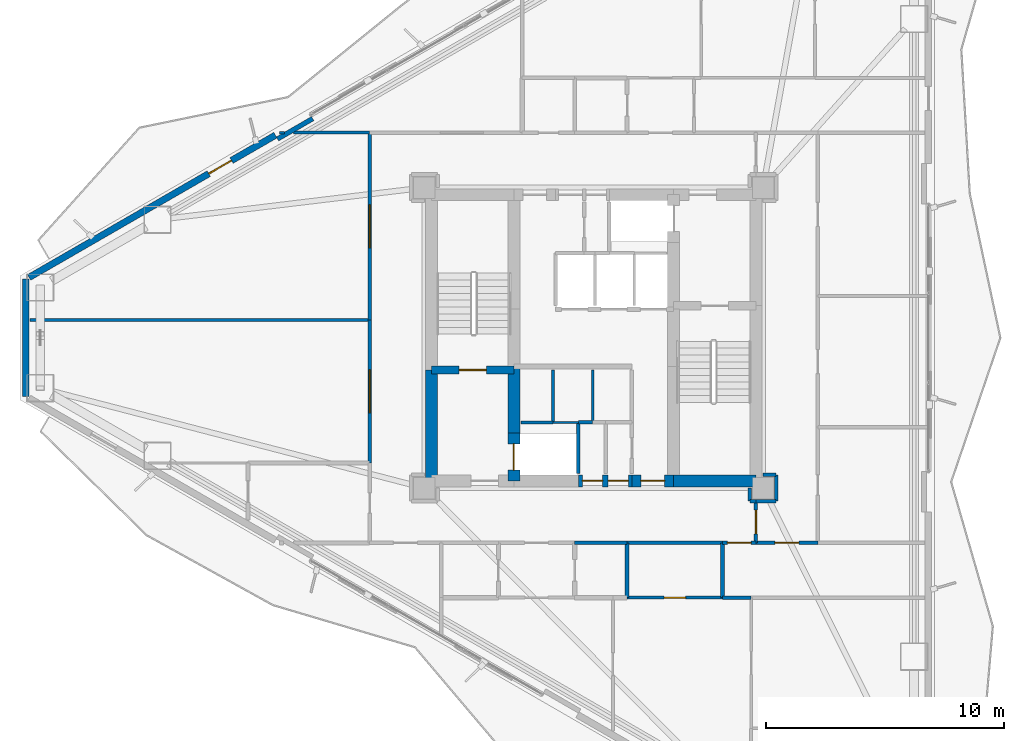
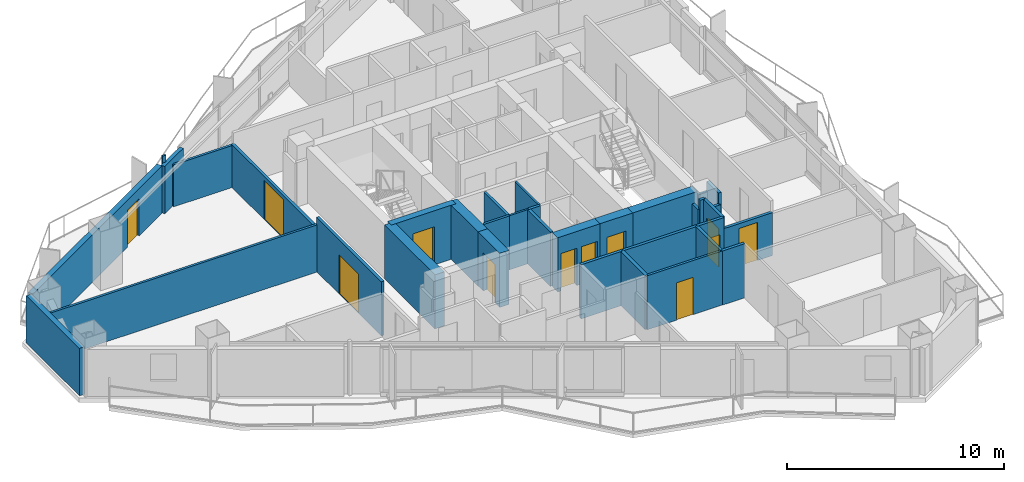
# One storey, part 16 of 22: 35 walls, 12 doors, 12 openings.
"""IFC4 building model written with IfcOpenShell, lengths in metres."""

import ifcopenshell
import ifcopenshell.guid

model = None  # the IFC model being written
_history = None  # IfcOwnerHistory: only IFC2X3 demands one
_inside = {}  # id of a spatial element -> (the spatial element, [elements in it])
_under = {}  # id of a project, library or spatial element -> (it, [spatial elements below it])
_declared = {}  # id of a project -> (the project, [libraries it declares])
_typed = {}  # id of a type object -> (the type object, [elements of that type])
_made_of = {}  # id of a material, layer set ... -> (it, [elements and type objects made of it])


def new_model(schema):
    """Start an empty IFC model of exactly this schema.

    Asked for "IFC4X3", IfcOpenShell would pick the latest addendum, in which some entities
    have other attributes; the version numbers below select the first issue.
    IFC2X3 requires an IfcOwnerHistory on every rooted entity: one is made here for all.
    """
    global model, _history
    if schema == "IFC4X3":
        model = ifcopenshell.file(schema_version=(4, 3, 0, 0))
    else:
        model = ifcopenshell.file(schema=schema)
    _inside.clear()
    _under.clear()
    _declared.clear()
    _typed.clear()
    _made_of.clear()
    _history = None
    if model.schema == "IFC2X3":
        org = make("IfcOrganization", Name="unknown")
        user = make(
            "IfcPersonAndOrganization",
            ThePerson=make("IfcPerson", FamilyName="unknown"),
            TheOrganization=org,
        )
        app = make(
            "IfcApplication",
            ApplicationDeveloper=org,
            Version="unknown",
            ApplicationFullName="unknown",
            ApplicationIdentifier="unknown",
        )
        _history = make(
            "IfcOwnerHistory",
            OwningUser=user,
            OwningApplication=app,
            ChangeAction="ADDED",
            CreationDate=0,
        )
    return model


def make(cls, **values):
    """One entity of the class cls with the attributes given. An attribute that is None is left unset."""
    return model.create_entity(
        cls, **{name: value for name, value in values.items() if value is not None}
    )


def rooted(cls, **values):
    """An entity with a GlobalId (a new one), such as an element, a storey or a relation."""
    return make(cls, GlobalId=ifcopenshell.guid.new(), OwnerHistory=_history, **values)


def si_unit(unit_type, name, prefix=None):
    """IfcSIUnit, for example si_unit("LENGTHUNIT", "METRE", prefix="MILLI")."""
    return make("IfcSIUnit", UnitType=unit_type, Prefix=prefix, Name=name)


def assignment(units):
    """IfcUnitAssignment: the units of a project."""
    return None if units is None else make("IfcUnitAssignment", Units=units)


def point(xyz):
    """IfcCartesianPoint."""
    return None if xyz is None else make("IfcCartesianPoint", Coordinates=xyz)


def direction(xyz):
    """IfcDirection."""
    return None if xyz is None else make("IfcDirection", DirectionRatios=xyz)


def frame(location, z_axis=None, x_axis=None):
    """IfcAxis2Placement3D, a coordinate frame: its origin and axes. An axis left out is left unset."""
    return make(
        "IfcAxis2Placement3D",
        Location=point(location),
        Axis=direction(z_axis),
        RefDirection=direction(x_axis),
    )


def frame_2d(location, x_axis=None):
    """IfcAxis2Placement2D, a coordinate frame in the plane: its origin and x axis."""
    return make(
        "IfcAxis2Placement2D", Location=point(location), RefDirection=direction(x_axis)
    )


def origin():
    """The frame at (0, 0, 0) with its axes left unset."""
    return frame((0.0, 0.0, 0.0))


def place(relative_to, where):
    """IfcLocalPlacement: puts the frame where relative to a parent placement (None: the world)."""
    return make(
        "IfcLocalPlacement", PlacementRelTo=relative_to, RelativePlacement=where
    )


def context(
    kind, dimensions, precision=None, world=None, true_north=None, identifier=None
):
    """IfcGeometricRepresentationContext, for example the 3D "Model" context."""
    return make(
        "IfcGeometricRepresentationContext",
        ContextIdentifier=identifier,
        ContextType=kind,
        CoordinateSpaceDimension=dimensions,
        Precision=precision,
        WorldCoordinateSystem=world,
        TrueNorth=true_north,
    )


def subcontext(parent, identifier, kind, view, scale=None):
    """IfcGeometricRepresentationSubContext, for example "Body" below "Model"."""
    return make(
        "IfcGeometricRepresentationSubContext",
        ContextIdentifier=identifier,
        ContextType=kind,
        ParentContext=parent,
        TargetScale=scale,
        TargetView=view,
    )


def project(units=None, contexts=None):
    """IfcProject with its units and contexts."""
    return rooted(
        "IfcProject",
        Name="project",
        RepresentationContexts=contexts,
        UnitsInContext=assignment(units),
    )


def spatial(cls, under=None, at=None, **own):
    """A site, building, storey or space (cls), placed at a placement, below another one or the project."""
    s = rooted(cls, ObjectPlacement=at, **own)
    if under is not None:
        _under.setdefault(under.id(), (under, []))[1].append(s)
    return s


def profile(cls, at=None, kind="AREA", **sizes):
    """A parametric profile (cls). Its sizes go by their IFC names, for example OverallWidth=200.0."""
    return make(cls, ProfileType=kind, Position=at, **sizes)


def rectangle(**sizes):
    """IfcRectangleProfileDef."""
    return profile("IfcRectangleProfileDef", **sizes)


def extrude(swept, where, along, depth):
    """IfcExtrudedAreaSolid: the profile swept, set in the frame where, extruded along a direction by depth."""
    return make(
        "IfcExtrudedAreaSolid",
        SweptArea=swept,
        Position=where,
        ExtrudedDirection=direction(along),
        Depth=depth,
    )


def shape(context_of_items, identifier, shape_type, items):
    """IfcShapeRepresentation: the items that make up one representation, for example the "Body"."""
    return make(
        "IfcShapeRepresentation",
        ContextOfItems=context_of_items,
        RepresentationIdentifier=identifier,
        RepresentationType=shape_type,
        Items=items,
    )


def material(Name=None, Category=None):
    """IfcMaterial."""
    return make("IfcMaterial", Name=Name, Category=Category)


def layer(
    of_material, thickness, ventilated=None, Name=None, Category=None, Priority=None
):
    """IfcMaterialLayer: one layer of a wall or slab, of a material (None: an air gap)."""
    return make(
        "IfcMaterialLayer",
        Material=of_material,
        LayerThickness=thickness,
        IsVentilated=ventilated,
        Name=Name,
        Category=Category,
        Priority=Priority,
    )


def layer_set(layers, Name=None):
    """IfcMaterialLayerSet."""
    return make("IfcMaterialLayerSet", MaterialLayers=layers, LayerSetName=Name)


def made_of(thing, what):
    """Note that an element or type object is made of a material, layer set ...; save() writes the relation."""
    if what is not None:
        _made_of.setdefault(what.id(), (what, []))[1].append(thing)
    return thing


def type_object(cls, material=None, **own):
    """A type object (cls), such as IfcWallType, which elements share."""
    return made_of(rooted(cls, **own), material)


def element(
    cls,
    number,
    at=None,
    inside=None,
    cuts=None,
    type_object=None,
    material=None,
    context=None,
    identifier="Body",
    shape_type=None,
    held_by="IfcProductDefinitionShape",
    body=None,
    shapes=None,
    **own,
):
    """One element of the class cls, such as IfcWall. Its Tag is "e" and its number.

    at: its placement. inside: the storey or other place that contains it. cuts: it is an
    opening in that element (IfcRelVoidsElement). A single representation is given by context,
    identifier, shape_type and body (its items); several are given by shapes. held_by: the class
    of the entity that holds the representations. save() writes the other relations.
    """
    e = rooted(cls, Tag="e%d" % number, ObjectPlacement=at, **own)
    if body is not None:
        shapes = [shape(context, identifier, shape_type, body)]
    if shapes is not None:
        e.Representation = make(held_by, Representations=shapes)
    if inside is not None:
        _inside.setdefault(inside.id(), (inside, []))[1].append(e)
    if cuts is not None:
        rooted(
            "IfcRelVoidsElement", RelatingBuildingElement=cuts, RelatedOpeningElement=e
        )
    if type_object is not None:
        _typed.setdefault(type_object.id(), (type_object, []))[1].append(e)
    return made_of(e, material)


def fill(opening, filler):
    """IfcRelFillsElement: the door or window that sits in an opening."""
    return rooted(
        "IfcRelFillsElement",
        RelatingOpeningElement=opening,
        RelatedBuildingElement=filler,
    )


def aggregate(whole, parts):
    """IfcRelAggregates: a whole, such as a stair, and the parts it consists of."""
    return rooted("IfcRelAggregates", RelatingObject=whole, RelatedObjects=parts)


def save(model, path):
    """Write the relations noted so far, then the file.

    IfcRelAggregates (storeys below a building ...), IfcRelContainedInSpatialStructure (elements
    in a storey), IfcRelDefinesByType, IfcRelAssociatesMaterial and IfcRelDeclares: one each for
    every whole, place, type object, material and project.
    """
    for whole, parts in _under.values():
        aggregate(whole, parts)
    for where, things in _inside.values():
        rooted(
            "IfcRelContainedInSpatialStructure",
            RelatedElements=things,
            RelatingStructure=where,
        )
    for kind, things in _typed.values():
        rooted("IfcRelDefinesByType", RelatedObjects=things, RelatingType=kind)
    for what, things in _made_of.values():
        rooted("IfcRelAssociatesMaterial", RelatedObjects=things, RelatingMaterial=what)
    for by, libraries in _declared.values():
        rooted("IfcRelDeclares", RelatingContext=by, RelatedDefinitions=libraries)
    model.write(path)


model = new_model("IFC4")

# Units and contexts
model_context = context("Model", 3, precision=1e-05, world=origin(), true_north=direction((0.0, 1.0)))
body_context = subcontext(model_context, "Body", "Model", "MODEL_VIEW")
ifc_project = project(units=[si_unit("LENGTHUNIT", "METRE"), si_unit("AREAUNIT", "SQUARE_METRE"), si_unit("VOLUMEUNIT", "CUBIC_METRE"), si_unit("PLANEANGLEUNIT", "RADIAN"), si_unit("MASSUNIT", "GRAM", prefix="KILO")], contexts=[model_context])

# Site, building, storey
site_placement = place(None, origin())
site = spatial("IfcSite", under=ifc_project, at=site_placement, CompositionType="ELEMENT")
building_placement = place(site_placement, origin())
building = spatial("IfcBuilding", under=site, at=building_placement, Name="Mersakhor Tower and Convention Hall", CompositionType="ELEMENT")
storey_placement = place(building_placement, frame((0.0, 0.0, 86.699951171875)))
storey = spatial("IfcBuildingStorey", under=building, at=storey_placement, Name="L23", CompositionType="ELEMENT", Elevation=86.699951171875)

# Wall
ifc_material_1 = material(Name="Precast concrete C45/55", Category="concrete")
ifc_layer_1 = layer(ifc_material_1, 0.27490234375)
ifc_layer_set_1 = layer_set([ifc_layer_1], Name="Precast concrete C45/55")
wall_type_1 = type_object("IfcWallType", Name="WL-EXT-275", PredefinedType="SOLIDWALL", material=ifc_layer_set_1)
wall_1_placement = place(storey_placement, frame((5.186767578125, 24.292724609375, 0.0), z_axis=(0.0, 0.0, 1.0), x_axis=(0.0, 1.0, 0.0)))
element("IfcWall", 1, at=wall_1_placement, inside=storey, type_object=wall_type_1, Name="L23 Chamfer Braced Spandrel Wall C3", PredefinedType="SOLIDWALL", context=body_context, shape_type="SweptSolid", body=[
    extrude(rectangle(XDim=4.91455078125, YDim=0.27490234375, at=frame_2d((2.457275390625, 0.0))), origin(), (0.0, 0.0, 1.0), 2.670166015625),
])

# Wall, opening, door
wall_2_placement = place(storey_placement, frame((5.316650390625, 29.2822265625, 0.0), z_axis=(0.0, 0.0, 1.0), x_axis=(0.866023023012, 0.500004123596, 0.0)))
wall_2 = element("IfcWall", 2, at=wall_2_placement, inside=storey, type_object=wall_type_1, Name="L23 Exterior Facade Wall F1-B1", PredefinedType="SOLIDWALL", context=body_context, shape_type="SweptSolid", body=[
    extrude(rectangle(XDim=11.9296875, YDim=0.27490234375, at=frame_2d((5.96484375, 0.0))), origin(), (0.0, 0.0, 1.0), 2.670166015625),
])
opening_1_placement = place(wall_2_placement, frame((8.7041015625, 0.0, 0.0)))
opening_1 = element("IfcOpeningElement", 3, at=opening_1_placement, cuts=wall_2, Name="Opening BD-02", PredefinedType="OPENING", context=body_context, shape_type="SweptSolid", body=[
    extrude(rectangle(XDim=1.10009765625, YDim=2.10009765625, at=frame_2d((0.550048828125, 1.050048828125))), frame((0.0, 0.1474609375, 0.0), z_axis=(0.0, -1.0, 0.0), x_axis=(1.0, 0.0, 0.0)), (0.0, 0.0, 1.0), 0.294921875),
])
ifc_material_2 = material(Name="Thermally broken dark aluminium and safety glass", Category="aluminium")
door_type_1 = type_object("IfcDoorType", Name="DR-BAL-110x210", OperationType="NOTDEFINED", PredefinedType="DOOR", material=ifc_material_2)
door_1_placement = place(opening_1_placement, origin())
door_1 = element("IfcDoor", 4, at=door_1_placement, inside=storey, type_object=door_type_1, Name="L23 Balcony Terrace Door F1-B1", OperationType="SINGLE_SWING_RIGHT", OverallHeight=2.10009765625, OverallWidth=1.10009765625, PredefinedType="DOOR", context=body_context, shape_type="SweptSolid", body=[
    extrude(rectangle(XDim=1.10009765625, YDim=2.10009765625, at=frame_2d((0.550048828125, 1.050048828125))), frame((0.0, 0.02490234375, 0.0), z_axis=(0.0, -1.0, 0.0), x_axis=(1.0, 0.0, 0.0)), (0.0, 0.0, 1.0), 0.050048828125),
])
fill(opening_1, door_1)

# Walls
ifc_material_3 = material(Name="Precast concrete C40/50", Category="concrete")
ifc_layer_2 = layer(ifc_material_3, 0.199951171875)
ifc_layer_set_2 = layer_set([ifc_layer_2], Name="Precast concrete C40/50")
wall_type_2 = type_object("IfcWallType", Name="WL-PAR-200", PredefinedType="PARAPET", material=ifc_layer_set_2)
wall_3_placement = place(storey_placement, frame((15.73779296875, 35.091064453125, 0.0), z_axis=(0.0, 0.0, 1.0), x_axis=(0.866025371046, 0.500000056704, 0.0)))
element("IfcWall", 5, at=wall_3_placement, inside=storey, type_object=wall_type_2, Name="L23 Column Pier Cladding Wall F1-C1", PredefinedType="PARAPET", context=body_context, shape_type="SweptSolid", body=[
    extrude(rectangle(XDim=1.7001953125, YDim=0.199951171875, at=frame_2d((0.85009765625, 0.0))), origin(), (0.0, 0.0, 1.0), 2.670166015625),
])
ifc_material_4 = material(Name="Moisture-resistant acoustic drywall studwork", Category="other")
ifc_layer_3 = layer(ifc_material_4, 0.175048828125)
ifc_layer_set_3 = layer_set([ifc_layer_3], Name="Moisture-resistant acoustic drywall studwork")
wall_type_3 = type_object("IfcWallType", Name="WL-PLM-175", PredefinedType="PLUMBINGWALL", material=ifc_layer_set_3)
wall_4_placement = place(storey_placement, frame((30.39990234375, 18.14990234375, 0.0), z_axis=(0.0, 0.0, 1.0), x_axis=(0.0, -1.0, 0.0)))
element("IfcWall", 6, at=wall_4_placement, inside=storey, type_object=wall_type_3, Name="L23 Interior Partition Wall P-082", PredefinedType="PLUMBINGWALL", context=body_context, shape_type="SweptSolid", body=[
    extrude(rectangle(XDim=2.2998046875, YDim=0.175048828125, at=frame_2d((1.14990234375, 0.0))), origin(), (0.0, 0.0, 1.0), 3.050048828125),
])
ifc_material_5 = material(Name="Lightweight gypsum partition", Category="other")
ifc_layer_4 = layer(ifc_material_5, 0.10009765625)
ifc_layer_set_4 = layer_set([ifc_layer_4], Name="Lightweight gypsum partition")
wall_type_4 = type_object("IfcWallType", Name="WL-PRT-100", PredefinedType="PARTITIONING", material=ifc_layer_set_4)
wall_5_placement = place(storey_placement, frame((27.300048828125, 23.199951171875, 0.0), z_axis=(0.0, 0.0, 1.0), x_axis=(1.0, 0.0, 0.0)))
element("IfcWall", 7, at=wall_5_placement, inside=storey, type_object=wall_type_4, Name="L23 Interior Partition Wall P-002", PredefinedType="PARTITIONING", context=body_context, shape_type="SweptSolid", body=[
    extrude(rectangle(XDim=1.050048828125, YDim=0.10009765625, at=frame_2d((0.52490234375, 0.0))), origin(), (0.0, 0.0, 1.0), 3.050048828125),
])
wall_6_placement = place(storey_placement, frame((28.949951171875, 25.39990234375, 0.0), z_axis=(0.0, 0.0, 1.0), x_axis=(0.0, -1.0, 0.0)))
element("IfcWall", 8, at=wall_6_placement, inside=storey, type_object=wall_type_4, Name="L23 Interior Partition Wall P-008", PredefinedType="PARTITIONING", context=body_context, shape_type="SweptSolid", body=[
    extrude(rectangle(XDim=2.199951171875, YDim=0.10009765625, at=frame_2d((1.10009765625, 0.0))), origin(), (0.0, 0.0, 1.0), 3.050048828125),
])
wall_7_placement = place(storey_placement, frame((16.026123046875, 35.35009765625, 0.0), z_axis=(0.0, 0.0, 1.0), x_axis=(-1.0, 0.0, 0.0)))
element("IfcWall", 9, at=wall_7_placement, inside=storey, type_object=wall_type_4, Name="L23 Interior Partition Wall P-088", PredefinedType="PARTITIONING", context=body_context, shape_type="SweptSolid", body=[
    extrude(rectangle(XDim=0.2001953125, YDim=0.10009765625, at=frame_2d((0.10009765625, 0.0))), origin(), (0.0, 0.0, 1.0), 3.050048828125),
])
ifc_material_6 = material(Name="Gypsum board acoustic partition", Category="other")
ifc_layer_5 = layer(ifc_material_6, 0.125)
ifc_layer_set_5 = layer_set([ifc_layer_5], Name="Gypsum board acoustic partition")
wall_type_5 = type_object("IfcWallType", Name="WL-PRT-125", PredefinedType="PARTITIONING", material=ifc_layer_set_5)
wall_8_placement = place(storey_placement, frame((25.949951171875, 23.199951171875, 0.0), z_axis=(0.0, 0.0, 1.0), x_axis=(1.0, 0.0, 0.0)))
element("IfcWall", 10, at=wall_8_placement, inside=storey, type_object=wall_type_5, Name="L23 Interior Partition Wall P-001", PredefinedType="PARTITIONING", context=body_context, shape_type="SweptSolid", body=[
    extrude(rectangle(XDim=1.35009765625, YDim=0.125, at=frame_2d((0.675048828125, 0.0))), origin(), (0.0, 0.0, 1.0), 3.050048828125),
])
wall_9_placement = place(storey_placement, frame((27.300048828125, 25.39990234375, 0.0), z_axis=(0.0, 0.0, 1.0), x_axis=(0.0, -1.0, 0.0)))
element("IfcWall", 11, at=wall_9_placement, inside=storey, type_object=wall_type_5, Name="L23 Interior Partition Wall P-007", PredefinedType="PARTITIONING", context=body_context, shape_type="SweptSolid", body=[
    extrude(rectangle(XDim=2.199951171875, YDim=0.125, at=frame_2d((1.10009765625, 0.0))), origin(), (0.0, 0.0, 1.0), 3.050048828125),
])

# Wall, opening, door
wall_10_placement = place(storey_placement, frame((34.39990234375, 15.85009765625, 0.0), z_axis=(0.0, 0.0, 1.0), x_axis=(-1.0, 0.0, 0.0)))
wall_10 = element("IfcWall", 12, at=wall_10_placement, inside=storey, type_object=wall_type_5, Name="L23 Interior Partition Wall P-083", PredefinedType="PARTITIONING", context=body_context, shape_type="SweptSolid", body=[
    extrude(rectangle(XDim=4.0, YDim=0.125, at=frame_2d((2.0, 0.0))), origin(), (0.0, 0.0, 1.0), 3.050048828125),
])
opening_2_placement = place(wall_10_placement, frame((1.550048828125, 0.0, 0.0)))
opening_2 = element("IfcOpeningElement", 13, at=opening_2_placement, cuts=wall_10, Name="Opening WD-01", PredefinedType="OPENING", context=body_context, shape_type="SweptSolid", body=[
    extrude(rectangle(XDim=0.89990234375, YDim=2.10009765625, at=frame_2d((0.449951171875, 1.050048828125))), frame((0.0, 0.072509765625, 0.0), z_axis=(0.0, -1.0, 0.0), x_axis=(1.0, 0.0, 0.0)), (0.0, 0.0, 1.0), 0.14501953125),
])
ifc_material_7 = material(Name="Solid-core hardwood leaf in painted steel frame", Category="steel")
door_type_2 = type_object("IfcDoorType", Name="DR-INT-WET-090x210", OperationType="NOTDEFINED", PredefinedType="DOOR", material=ifc_material_7)
door_2_placement = place(opening_2_placement, origin())
door_2 = element("IfcDoor", 14, at=door_2_placement, inside=storey, type_object=door_type_2, Name="L23 L23 Flat S2 Kitchen to L23 Flat S2 Master Bedroom Door", OperationType="SINGLE_SWING_LEFT", OverallHeight=2.10009765625, OverallWidth=0.89990234375, PredefinedType="DOOR", context=body_context, shape_type="SweptSolid", body=[
    extrude(rectangle(XDim=0.89990234375, YDim=2.10009765625, at=frame_2d((0.449951171875, 1.050048828125))), frame((0.0, 0.02490234375, 0.0), z_axis=(0.0, -1.0, 0.0), x_axis=(1.0, 0.0, 0.0)), (0.0, 0.0, 1.0), 0.050048828125),
])
fill(opening_2, door_2)

# Walls
wall_11_placement = place(storey_placement, frame((19.60009765625, 35.35009765625, 0.0), z_axis=(0.0, 0.0, 1.0), x_axis=(-1.0, 0.0, 0.0)))
element("IfcWall", 15, at=wall_11_placement, inside=storey, type_object=wall_type_5, Name="L23 Interior Partition Wall P-087", PredefinedType="PARTITIONING", context=body_context, shape_type="SweptSolid", body=[
    extrude(rectangle(XDim=3.188232421875, YDim=0.125, at=frame_2d((1.59423828125, 0.0))), origin(), (0.0, 0.0, 1.0), 2.364990234375),
])
wall_12_placement = place(storey_placement, frame((19.60009765625, 27.5, 0.0), z_axis=(0.0, 0.0, 1.0), x_axis=(-1.0, 0.0, 0.0)))
element("IfcWall", 16, at=wall_12_placement, inside=storey, type_object=wall_type_5, Name="L23 Interior Partition Wall P-093", PredefinedType="PARTITIONING", context=body_context, shape_type="SweptSolid", body=[
    extrude(rectangle(XDim=14.251953125, YDim=0.125, at=frame_2d((7.1259765625, 0.0))), origin(), (0.0, 0.0, 1.0), 2.660400390625),
])
ifc_material_8 = material(Name="Fire-rated gypsum board stud partition", Category="other")
ifc_layer_6 = layer(ifc_material_8, 0.14990234375)
ifc_layer_set_6 = layer_set([ifc_layer_6], Name="Fire-rated gypsum board stud partition")
wall_type_6 = type_object("IfcWallType", Name="WL-PRT-150", PredefinedType="PARTITIONING", material=ifc_layer_set_6)
wall_13_placement = place(storey_placement, frame((28.35009765625, 23.199951171875, 0.0), z_axis=(0.0, 0.0, 1.0), x_axis=(0.0, -1.0, 0.0)))
element("IfcWall", 17, at=wall_13_placement, inside=storey, type_object=wall_type_6, Name="L23 Interior Partition Wall P-003", PredefinedType="PARTITIONING", context=body_context, shape_type="SweptSolid", body=[
    extrude(rectangle(XDim=2.14990234375, YDim=0.14990234375, at=frame_2d((1.074951171875, 0.0))), origin(), (0.0, 0.0, 1.0), 3.050048828125),
])
wall_14_placement = place(storey_placement, frame((28.949951171875, 23.199951171875, 0.0), z_axis=(0.0, 0.0, 1.0), x_axis=(-1.0, 0.0, 0.0)))
element("IfcWall", 18, at=wall_14_placement, inside=storey, type_object=wall_type_6, Name="L23 Interior Partition Wall P-009", PredefinedType="PARTITIONING", context=body_context, shape_type="SweptSolid", body=[
    extrude(rectangle(XDim=0.599853515625, YDim=0.14990234375, at=frame_2d((0.2998046875, 0.0))), origin(), (0.0, 0.0, 1.0), 3.050048828125),
])
wall_15_placement = place(storey_placement, frame((35.550048828125, 20.449951171875, 0.0), z_axis=(0.0, 0.0, 1.0), x_axis=(0.0, -1.0, 0.0)))
element("IfcWall", 19, at=wall_15_placement, inside=storey, type_object=wall_type_6, Name="L23 Interior Partition Wall P-023", PredefinedType="PARTITIONING", context=body_context, shape_type="SweptSolid", body=[
    extrude(rectangle(XDim=0.550048828125, YDim=0.14990234375, at=frame_2d((0.27490234375, 0.0))), origin(), (0.0, 0.0, 1.0), 2.498291015625),
])
wall_16_placement = place(storey_placement, frame((35.550048828125, 19.89990234375, 0.0), z_axis=(0.0, 0.0, 1.0), x_axis=(1.0, 0.0, 0.0)))
element("IfcWall", 20, at=wall_16_placement, inside=storey, type_object=wall_type_6, Name="L23 Interior Partition Wall P-024", PredefinedType="PARTITIONING", context=body_context, shape_type="SweptSolid", body=[
    extrude(rectangle(XDim=0.25, YDim=0.14990234375, at=frame_2d((0.125, 0.0))), origin(), (0.0, 0.0, 1.0), 3.050048828125),
])

# Wall, opening, door
wall_17_placement = place(storey_placement, frame((35.800048828125, 19.89990234375, 0.0), z_axis=(0.0, 0.0, 1.0), x_axis=(0.0, -1.0, 0.0)))
wall_17 = element("IfcWall", 21, at=wall_17_placement, inside=storey, type_object=wall_type_6, Name="L23 Interior Partition Wall P-025", PredefinedType="PARTITIONING", context=body_context, shape_type="SweptSolid", body=[
    extrude(rectangle(XDim=1.75, YDim=0.14990234375, at=frame_2d((0.875, 0.0))), origin(), (0.0, 0.0, 1.0), 3.050048828125),
])
opening_3_placement = place(wall_17_placement, frame((0.375, 0.0, 0.0)))
opening_3 = element("IfcOpeningElement", 22, at=opening_3_placement, cuts=wall_17, Name="Opening FD-01", PredefinedType="OPENING", context=body_context, shape_type="SweptSolid", body=[
    extrude(rectangle(XDim=1.0, YDim=2.14990234375, at=frame_2d((0.5, 1.074951171875))), frame((0.0, 0.0849609375, 0.0), z_axis=(0.0, -1.0, 0.0), x_axis=(1.0, 0.0, 0.0)), (0.0, 0.0, 1.0), 0.169921875),
])
ifc_material_9 = material(Name="Fire-rated hardwood leaf and painted steel frame", Category="steel")
door_type_3 = type_object("IfcDoorType", Name="DR-INT-FLT-100x215", OperationType="NOTDEFINED", PredefinedType="DOOR", material=ifc_material_9)
door_3_placement = place(opening_3_placement, origin())
door_3 = element("IfcDoor", 23, at=door_3_placement, inside=storey, type_object=door_type_3, Name="L23 Ring Corridor Fire Door", OperationType="SINGLE_SWING_LEFT", OverallHeight=2.14990234375, OverallWidth=1.0, PredefinedType="DOOR", context=body_context, shape_type="SweptSolid", body=[
    extrude(rectangle(XDim=1.0, YDim=2.14990234375, at=frame_2d((0.5, 1.074951171875))), frame((0.0, 0.02490234375, 0.0), z_axis=(0.0, -1.0, 0.0), x_axis=(1.0, 0.0, 0.0)), (0.0, 0.0, 1.0), 0.050048828125),
])
fill(opening_3, door_3)

wall_18_placement = place(storey_placement, frame((35.800048828125, 18.14990234375, 0.0), z_axis=(0.0, 0.0, 1.0), x_axis=(-1.0, 0.0, 0.0)))
wall_18 = element("IfcWall", 24, at=wall_18_placement, inside=storey, type_object=wall_type_6, Name="L23 Interior Partition Wall P-026", PredefinedType="PARTITIONING", context=body_context, shape_type="SweptSolid", body=[
    extrude(rectangle(XDim=1.400146484375, YDim=0.14990234375, at=frame_2d((0.7001953125, 0.0))), origin(), (0.0, 0.0, 1.0), 3.050048828125),
])
opening_4_placement = place(wall_18_placement, frame((0.199951171875, 0.0, 0.0)))
opening_4 = element("IfcOpeningElement", 25, at=opening_4_placement, cuts=wall_18, Name="Opening FD-01", PredefinedType="OPENING", context=body_context, shape_type="SweptSolid", body=[
    extrude(rectangle(XDim=1.0, YDim=2.14990234375, at=frame_2d((0.5, 1.074951171875))), frame((0.0, 0.0849609375, 0.0), z_axis=(0.0, -1.0, 0.0), x_axis=(1.0, 0.0, 0.0)), (0.0, 0.0, 1.0), 0.169921875),
])
door_4_placement = place(opening_4_placement, origin())
door_4 = element("IfcDoor", 26, at=door_4_placement, inside=storey, type_object=door_type_3, Name="L23 Residential Ring Corridor to L23 South-East Shared Tea Pantry Door", OperationType="SINGLE_SWING_LEFT", OverallHeight=2.14990234375, OverallWidth=1.0, PredefinedType="DOOR", context=body_context, shape_type="SweptSolid", body=[
    extrude(rectangle(XDim=1.0, YDim=2.14990234375, at=frame_2d((0.5, 1.074951171875))), frame((0.0, 0.02490234375, 0.0), z_axis=(0.0, -1.0, 0.0), x_axis=(1.0, 0.0, 0.0)), (0.0, 0.0, 1.0), 0.050048828125),
])
fill(opening_4, door_4)

# Walls
wall_19_placement = place(storey_placement, frame((34.39990234375, 18.14990234375, 0.0), z_axis=(0.0, 0.0, 1.0), x_axis=(-1.0, 0.0, 0.0)))
element("IfcWall", 27, at=wall_19_placement, inside=storey, type_object=wall_type_6, Name="L23 Interior Partition Wall P-027", PredefinedType="PARTITIONING", context=body_context, shape_type="SweptSolid", body=[
    extrude(rectangle(XDim=4.0, YDim=0.14990234375, at=frame_2d((2.0, 0.0))), origin(), (0.0, 0.0, 1.0), 3.050048828125),
])
wall_20_placement = place(storey_placement, frame((30.39990234375, 18.14990234375, 0.0), z_axis=(0.0, 0.0, 1.0), x_axis=(-1.0, 0.0, 0.0)))
element("IfcWall", 28, at=wall_20_placement, inside=storey, type_object=wall_type_6, Name="L23 Interior Partition Wall P-028", PredefinedType="PARTITIONING", context=body_context, shape_type="SweptSolid", body=[
    extrude(rectangle(XDim=2.199951171875, YDim=0.14990234375, at=frame_2d((1.10009765625, 0.0))), origin(), (0.0, 0.0, 1.0), 3.050048828125),
])

# Wall, opening, door
wall_21_placement = place(storey_placement, frame((19.60009765625, 21.5, 0.0), z_axis=(0.0, 0.0, 1.0), x_axis=(0.0, 1.0, 0.0)))
wall_21 = element("IfcWall", 29, at=wall_21_placement, inside=storey, type_object=wall_type_6, Name="L23 Interior Partition Wall P-033", PredefinedType="PARTITIONING", context=body_context, shape_type="SweptSolid", body=[
    extrude(rectangle(XDim=6.0, YDim=0.14990234375, at=frame_2d((3.0, 0.0))), origin(), (0.0, 0.0, 1.0), 3.050048828125),
])
opening_5_placement = place(wall_21_placement, frame((2.10009765625, 0.0, 0.0)))
opening_5 = element("IfcOpeningElement", 30, at=opening_5_placement, cuts=wall_21, Name="Opening HD-01", PredefinedType="OPENING", context=body_context, shape_type="SweptSolid", body=[
    extrude(rectangle(XDim=1.800048828125, YDim=2.199951171875, at=frame_2d((0.89990234375, 1.10009765625))), frame((0.0, 0.0849609375, 0.0), z_axis=(0.0, -1.0, 0.0), x_axis=(1.0, 0.0, 0.0)), (0.0, 0.0, 1.0), 0.169921875),
])
ifc_material_10 = material(Name="Fire-rated hardwood leaf and painted steel frame", Category="steel")
door_type_4 = type_object("IfcDoorType", Name="DR-INT-HALL-180x220", OperationType="NOTDEFINED", PredefinedType="DOOR", material=ifc_material_10)
door_5_placement = place(opening_5_placement, origin())
door_5 = element("IfcDoor", 31, at=door_5_placement, inside=storey, type_object=door_type_4, Name="L23 Residential Ring Corridor to L23 West Wing Residents Seminar Room Door", OperationType="DOUBLE_DOOR_SINGLE_SWING", OverallHeight=2.199951171875, OverallWidth=1.800048828125, PredefinedType="DOOR", context=body_context, shape_type="SweptSolid", body=[
    extrude(rectangle(XDim=1.800048828125, YDim=2.199951171875, at=frame_2d((0.89990234375, 1.10009765625))), frame((0.0, 0.02490234375, 0.0), z_axis=(0.0, -1.0, 0.0), x_axis=(1.0, 0.0, 0.0)), (0.0, 0.0, 1.0), 0.050048828125),
])
fill(opening_5, door_5)

wall_22_placement = place(storey_placement, frame((19.60009765625, 27.5, 0.0), z_axis=(0.0, 0.0, 1.0), x_axis=(0.0, 1.0, 0.0)))
wall_22 = element("IfcWall", 32, at=wall_22_placement, inside=storey, type_object=wall_type_6, Name="L23 Interior Partition Wall P-034", PredefinedType="PARTITIONING", context=body_context, shape_type="SweptSolid", body=[
    extrude(rectangle(XDim=7.85009765625, YDim=0.14990234375, at=frame_2d((3.925048828125, 0.0))), origin(), (0.0, 0.0, 1.0), 2.4228515625),
])
opening_6_placement = place(wall_22_placement, frame((3.02490234375, 0.0, 0.0)))
opening_6 = element("IfcOpeningElement", 33, at=opening_6_placement, cuts=wall_22, Name="Opening HD-01", PredefinedType="OPENING", context=body_context, shape_type="SweptSolid", body=[
    extrude(rectangle(XDim=1.800048828125, YDim=2.199951171875, at=frame_2d((0.89990234375, 1.10009765625))), frame((0.0, 0.0849609375, 0.0), z_axis=(0.0, -1.0, 0.0), x_axis=(1.0, 0.0, 0.0)), (0.0, 0.0, 1.0), 0.169921875),
])
door_6_placement = place(opening_6_placement, origin())
door_6 = element("IfcDoor", 34, at=door_6_placement, inside=storey, type_object=door_type_4, Name="L23 Residential Ring Corridor to L23 West Wing Residents Dining Hall Door", OperationType="DOUBLE_DOOR_SINGLE_SWING", OverallHeight=2.199951171875, OverallWidth=1.800048828125, PredefinedType="DOOR", context=body_context, shape_type="SweptSolid", body=[
    extrude(rectangle(XDim=1.800048828125, YDim=2.199951171875, at=frame_2d((0.89990234375, 1.10009765625))), frame((0.0, 0.02490234375, 0.0), z_axis=(0.0, -1.0, 0.0), x_axis=(1.0, 0.0, 0.0)), (0.0, 0.0, 1.0), 0.050048828125),
])
fill(opening_6, door_6)

# Wall
wall_23_placement = place(storey_placement, frame((36.64990234375, 21.0, 0.0), z_axis=(0.0, 0.0, 1.0), x_axis=(-1.0, 0.0, 0.0)))
element("IfcWall", 35, at=wall_23_placement, inside=storey, type_object=wall_type_6, Name="L23 Interior Partition Wall P-049", PredefinedType="PARTITIONING", context=body_context, shape_type="SweptSolid", body=[
    extrude(rectangle(XDim=0.5498046875, YDim=0.14990234375, at=frame_2d((0.27490234375, 0.0))), origin(), (0.0, 0.0, 1.0), 2.498291015625),
])

# Wall, opening, door
wall_24_placement = place(storey_placement, frame((38.39990234375, 18.14990234375, 0.0), z_axis=(0.0, 0.0, 1.0), x_axis=(-1.0, 0.0, 0.0)))
wall_24 = element("IfcWall", 36, at=wall_24_placement, inside=storey, type_object=wall_type_6, Name="L23 Interior Partition Wall P-057", PredefinedType="PARTITIONING", context=body_context, shape_type="SweptSolid", body=[
    extrude(rectangle(XDim=2.599853515625, YDim=0.14990234375, at=frame_2d((1.2998046875, 0.0))), origin(), (0.0, 0.0, 1.0), 2.4228515625),
])
opening_7_placement = place(wall_24_placement, frame((0.800048828125, 0.0, 0.0)))
opening_7 = element("IfcOpeningElement", 37, at=opening_7_placement, cuts=wall_24, Name="Opening FD-01", PredefinedType="OPENING", context=body_context, shape_type="SweptSolid", body=[
    extrude(rectangle(XDim=1.0, YDim=2.14990234375, at=frame_2d((0.5, 1.074951171875))), frame((0.0, 0.0849609375, 0.0), z_axis=(0.0, -1.0, 0.0), x_axis=(1.0, 0.0, 0.0)), (0.0, 0.0, 1.0), 0.169921875),
])
door_7_placement = place(opening_7_placement, origin())
door_7 = element("IfcDoor", 38, at=door_7_placement, inside=storey, type_object=door_type_3, Name="L23 Residential Ring East Corridor to L23 South-East Shared Tea Pantry Door", OperationType="SINGLE_SWING_LEFT", OverallHeight=2.14990234375, OverallWidth=1.0, PredefinedType="DOOR", context=body_context, shape_type="SweptSolid", body=[
    extrude(rectangle(XDim=1.0, YDim=2.14990234375, at=frame_2d((0.5, 1.074951171875))), frame((0.0, 0.02490234375, 0.0), z_axis=(0.0, -1.0, 0.0), x_axis=(1.0, 0.0, 0.0)), (0.0, 0.0, 1.0), 0.050048828125),
])
fill(opening_7, door_7)

# Walls
wall_25_placement = place(storey_placement, frame((35.800048828125, 19.89990234375, 0.0), z_axis=(0.0, 0.0, 1.0), x_axis=(1.0, 0.0, 0.0)))
element("IfcWall", 39, at=wall_25_placement, inside=storey, type_object=wall_type_6, Name="L23 Interior Partition Wall P-058", PredefinedType="PARTITIONING", context=body_context, shape_type="SweptSolid", body=[
    extrude(rectangle(XDim=0.849853515625, YDim=0.14990234375, at=frame_2d((0.4248046875, 0.0))), origin(), (0.0, 0.0, 1.0), 2.4228515625),
])
wall_26_placement = place(storey_placement, frame((36.64990234375, 19.89990234375, 0.0), z_axis=(0.0, 0.0, 1.0), x_axis=(0.0, 1.0, 0.0)))
element("IfcWall", 40, at=wall_26_placement, inside=storey, type_object=wall_type_6, Name="L23 Interior Partition Wall P-059", PredefinedType="PARTITIONING", context=body_context, shape_type="SweptSolid", body=[
    extrude(rectangle(XDim=1.10009765625, YDim=0.14990234375, at=frame_2d((0.550048828125, 0.0))), origin(), (0.0, 0.0, 1.0), 3.050048828125),
])
wall_27_placement = place(storey_placement, frame((34.39990234375, 18.14990234375, 0.0), z_axis=(0.0, 0.0, 1.0), x_axis=(0.0, -1.0, 0.0)))
element("IfcWall", 41, at=wall_27_placement, inside=storey, type_object=wall_type_6, Name="L23 Interior Partition Wall P-084", PredefinedType="PARTITIONING", context=body_context, shape_type="SweptSolid", body=[
    extrude(rectangle(XDim=2.2998046875, YDim=0.14990234375, at=frame_2d((1.14990234375, 0.0))), origin(), (0.0, 0.0, 1.0), 3.050048828125),
])
wall_28_placement = place(storey_placement, frame((35.60009765625, 15.85009765625, 0.0), z_axis=(0.0, 0.0, 1.0), x_axis=(-1.0, 0.0, 0.0)))
element("IfcWall", 42, at=wall_28_placement, inside=storey, type_object=wall_type_6, Name="L23 Interior Partition Wall P-091", PredefinedType="PARTITIONING", context=body_context, shape_type="SweptSolid", body=[
    extrude(rectangle(XDim=1.2001953125, YDim=0.14990234375, at=frame_2d((0.60009765625, 0.0))), origin(), (0.0, 0.0, 1.0), 3.050048828125),
])

# Wall, opening, door
ifc_material_11 = material(Name="Concrete C50/60", Category="concrete")
ifc_layer_7 = layer(ifc_material_11, 0.35009765625)
ifc_layer_set_7 = layer_set([ifc_layer_7], Name="Concrete C50/60")
wall_type_7 = type_object("IfcWallType", Name="WL-SHR-350", PredefinedType="SHEAR", material=ifc_layer_set_7)
wall_29_placement = place(storey_placement, frame((22.199951171875, 25.39990234375, 0.0), z_axis=(0.0, 0.0, 1.0), x_axis=(1.0, 0.0, 0.0)))
wall_29 = element("IfcWall", 43, at=wall_29_placement, inside=storey, type_object=wall_type_7, Name="L23 Core Wall CS-ST1-S", PredefinedType="SHEAR", context=body_context, shape_type="SweptSolid", body=[
    extrude(rectangle(XDim=3.449951171875, YDim=0.35009765625, at=frame_2d((1.72509765625, 0.0))), origin(), (0.0, 0.0, 1.0), 3.050048828125),
])
opening_8_placement = place(wall_29_placement, frame((1.14990234375, 0.0, 0.0)))
opening_8 = element("IfcOpeningElement", 44, at=opening_8_placement, cuts=wall_29, Name="Opening SD-01", PredefinedType="OPENING", context=body_context, shape_type="SweptSolid", body=[
    extrude(rectangle(XDim=1.14990234375, YDim=2.14990234375, at=frame_2d((0.574951171875, 1.074951171875))), frame((0.0, 0.18505859375, 0.0), z_axis=(0.0, -1.0, 0.0), x_axis=(1.0, 0.0, 0.0)), (0.0, 0.0, 1.0), 0.3701171875),
])
ifc_material_12 = material(Name="Fire-rated hardwood leaf and painted steel frame", Category="steel")
door_type_5 = type_object("IfcDoorType", Name="DR-INT-STAIR-115x215", OperationType="NOTDEFINED", PredefinedType="DOOR", material=ifc_material_12)
door_8_placement = place(opening_8_placement, origin())
door_8 = element("IfcDoor", 45, at=door_8_placement, inside=storey, type_object=door_type_5, Name="L23 Exit Stair ST-1 Enclosure Door", OperationType="SINGLE_SWING_LEFT", OverallHeight=2.14990234375, OverallWidth=1.14990234375, PredefinedType="DOOR", context=body_context, shape_type="SweptSolid", body=[
    extrude(rectangle(XDim=1.14990234375, YDim=2.14990234375, at=frame_2d((0.574951171875, 1.074951171875))), frame((0.0, 0.02490234375, 0.0), z_axis=(0.0, -1.0, 0.0), x_axis=(1.0, 0.0, 0.0)), (0.0, 0.0, 1.0), 0.050048828125),
])
fill(opening_8, door_8)

# Walls
ifc_material_13 = material(Name="Concrete C70/85", Category="concrete")
ifc_layer_8 = layer(ifc_material_13, 0.5)
ifc_layer_set_8 = layer_set([ifc_layer_8], Name="Concrete C70/85")
wall_type_8 = type_object("IfcWallType", Name="WL-SHR-500", PredefinedType="SHEAR", material=ifc_layer_set_8)
wall_30_placement = place(storey_placement, frame((22.199951171875, 20.75, 0.0), z_axis=(0.0, 0.0, 1.0), x_axis=(0.0, 1.0, 0.0)))
element("IfcWall", 46, at=wall_30_placement, inside=storey, type_object=wall_type_8, Name="L23 Core Wall CW-W1", PredefinedType="SHEAR", context=body_context, shape_type="SweptSolid", body=[
    extrude(rectangle(XDim=4.64990234375, YDim=0.5, at=frame_2d((2.324951171875, 0.0))), origin(), (0.0, 0.0, 1.0), 3.050048828125),
])
wall_31_placement = place(storey_placement, frame((35.800048828125, 20.75, 0.0), z_axis=(0.0, 0.0, 1.0), x_axis=(-1.0, 0.0, 0.0)))
element("IfcWall", 47, at=wall_31_placement, inside=storey, type_object=wall_type_8, Name="L23 Core Wall CW-S1", PredefinedType="SHEAR", context=body_context, shape_type="SweptSolid", body=[
    extrude(rectangle(XDim=3.449951171875, YDim=0.5, at=frame_2d((1.72509765625, 0.0))), origin(), (0.0, 0.0, 1.0), 3.050048828125),
])

# Wall, opening, door
wall_32_placement = place(storey_placement, frame((32.35009765625, 20.75, 0.0), z_axis=(0.0, 0.0, 1.0), x_axis=(-1.0, 0.0, 0.0)))
wall_32 = element("IfcWall", 48, at=wall_32_placement, inside=storey, type_object=wall_type_8, Name="L23 Core Wall CW-S2A", PredefinedType="SHEAR", context=body_context, shape_type="SweptSolid", body=[
    extrude(rectangle(XDim=1.75, YDim=0.5, at=frame_2d((0.875, 0.0))), origin(), (0.0, 0.0, 1.0), 3.050048828125),
])
opening_9_placement = place(wall_32_placement, frame((0.375, 0.0, 0.0)))
opening_9 = element("IfcOpeningElement", 49, at=opening_9_placement, cuts=wall_32, Name="Opening CFD-01", PredefinedType="OPENING", context=body_context, shape_type="SweptSolid", body=[
    extrude(rectangle(XDim=1.0, YDim=2.14990234375, at=frame_2d((0.5, 1.074951171875))), frame((0.0, 0.260009765625, 0.0), z_axis=(0.0, -1.0, 0.0), x_axis=(1.0, 0.0, 0.0)), (0.0, 0.0, 1.0), 0.52001953125),
])
ifc_material_14 = material(Name="Fire-rated hardwood leaf and painted steel frame", Category="steel")
door_type_6 = type_object("IfcDoorType", Name="DR-CORE-FD-100x215", OperationType="NOTDEFINED", PredefinedType="DOOR", material=ifc_material_14)
door_9_placement = place(opening_9_placement, origin())
door_9 = element("IfcDoor", 50, at=door_9_placement, inside=storey, type_object=door_type_6, Name="L23 Lift Lobby South Corridor Door", OperationType="SINGLE_SWING_RIGHT", OverallHeight=2.14990234375, OverallWidth=1.0, PredefinedType="DOOR", context=body_context, shape_type="SweptSolid", body=[
    extrude(rectangle(XDim=1.0, YDim=2.14990234375, at=frame_2d((0.5, 1.074951171875))), frame((0.0, 0.02490234375, 0.0), z_axis=(0.0, -1.0, 0.0), x_axis=(1.0, 0.0, 0.0)), (0.0, 0.0, 1.0), 0.050048828125),
])
fill(opening_9, door_9)

# Wall, openings, doors
wall_33_placement = place(storey_placement, frame((30.60009765625, 20.75, 0.0), z_axis=(0.0, 0.0, 1.0), x_axis=(-1.0, 0.0, 0.0)))
wall_33 = element("IfcWall", 51, at=wall_33_placement, inside=storey, type_object=wall_type_8, Name="L23 Core Wall CW-S2B", PredefinedType="SHEAR", context=body_context, shape_type="SweptSolid", body=[
    extrude(rectangle(XDim=2.25, YDim=0.5, at=frame_2d((1.125, 0.0))), origin(), (0.0, 0.0, 1.0), 3.050048828125),
])
opening_10_placement = place(wall_33_placement, frame((1.22998046875, 0.0, 0.0)))
opening_10 = element("IfcOpeningElement", 52, at=opening_10_placement, cuts=wall_33, Name="Opening SVD-01", PredefinedType="OPENING", context=body_context, shape_type="SweptSolid", body=[
    extrude(rectangle(XDim=0.85009765625, YDim=2.10009765625, at=frame_2d((0.425048828125, 1.050048828125))), frame((0.0, 0.260009765625, 0.0), z_axis=(0.0, -1.0, 0.0), x_axis=(1.0, 0.0, 0.0)), (0.0, 0.0, 1.0), 0.52001953125),
])
opening_11_placement = place(wall_33_placement, frame((0.14501953125, 0.0, 0.0)))
opening_11 = element("IfcOpeningElement", 53, at=opening_11_placement, cuts=wall_33, Name="Opening SVD-01", PredefinedType="OPENING", context=body_context, shape_type="SweptSolid", body=[
    extrude(rectangle(XDim=0.85009765625, YDim=2.10009765625, at=frame_2d((0.425048828125, 1.050048828125))), frame((0.0, 0.260009765625, 0.0), z_axis=(0.0, -1.0, 0.0), x_axis=(1.0, 0.0, 0.0)), (0.0, 0.0, 1.0), 0.52001953125),
])
ifc_material_15 = material(Name="Fire-rated hardwood leaf and painted steel frame", Category="steel")
door_type_7 = type_object("IfcDoorType", Name="DR-INT-SVC-085x210", OperationType="NOTDEFINED", PredefinedType="DOOR", material=ifc_material_15)
door_10_placement = place(opening_10_placement, origin())
door_10 = element("IfcDoor", 54, at=door_10_placement, inside=storey, type_object=door_type_7, Name="L23 Residential Ring Corridor to Mechanical Valve Plant Room Door", OperationType="SINGLE_SWING_LEFT", OverallHeight=2.10009765625, OverallWidth=0.85009765625, PredefinedType="DOOR", context=body_context, shape_type="SweptSolid", body=[
    extrude(rectangle(XDim=0.85009765625, YDim=2.10009765625, at=frame_2d((0.425048828125, 1.050048828125))), frame((0.0, 0.02490234375, 0.0), z_axis=(0.0, -1.0, 0.0), x_axis=(1.0, 0.0, 0.0)), (0.0, 0.0, 1.0), 0.050048828125),
])
fill(opening_10, door_10)
door_11_placement = place(opening_11_placement, origin())
door_11 = element("IfcDoor", 55, at=door_11_placement, inside=storey, type_object=door_type_7, Name="L23 Residential Ring Corridor to Refuse and Recycling Room Door", OperationType="SINGLE_SWING_RIGHT", OverallHeight=2.10009765625, OverallWidth=0.85009765625, PredefinedType="DOOR", context=body_context, shape_type="SweptSolid", body=[
    extrude(rectangle(XDim=0.85009765625, YDim=2.10009765625, at=frame_2d((0.425048828125, 1.050048828125))), frame((0.0, 0.02490234375, 0.0), z_axis=(0.0, -1.0, 0.0), x_axis=(1.0, 0.0, 0.0)), (0.0, 0.0, 1.0), 0.050048828125),
])
fill(opening_11, door_11)

# Wall, opening, door
wall_34_placement = place(storey_placement, frame((25.64990234375, 20.75, 0.0), z_axis=(0.0, 0.0, 1.0), x_axis=(0.0, 1.0, 0.0)))
wall_34 = element("IfcWall", 56, at=wall_34_placement, inside=storey, type_object=wall_type_8, Name="L23 Core Wall CS-W-FFL", PredefinedType="SHEAR", context=body_context, shape_type="SweptSolid", body=[
    extrude(rectangle(XDim=2.0, YDim=0.5, at=frame_2d((1.0, 0.0))), origin(), (0.0, 0.0, 1.0), 3.050048828125),
])
opening_12_placement = place(wall_34_placement, frame((0.449951171875, 0.0, 0.0)))
opening_12 = element("IfcOpeningElement", 57, at=opening_12_placement, cuts=wall_34, Name="Opening LD-FFL1", PredefinedType="OPENING", context=body_context, shape_type="SweptSolid", body=[
    extrude(rectangle(XDim=1.10009765625, YDim=2.14990234375, at=frame_2d((0.550048828125, 1.074951171875))), frame((0.0, 0.260009765625, 0.0), z_axis=(0.0, -1.0, 0.0), x_axis=(1.0, 0.0, 0.0)), (0.0, 0.0, 1.0), 0.52001953125),
])
ifc_material_16 = material(Name="Fire-rated brushed stainless steel sliding landing door", Category="steel")
door_type_8 = type_object("IfcDoorType", Name="DR-LIFT-SLD-110x215", OperationType="NOTDEFINED", PredefinedType="DOOR", material=ifc_material_16)
door_12_placement = place(opening_12_placement, origin())
door_12 = element("IfcDoor", 58, at=door_12_placement, inside=storey, type_object=door_type_8, Name="L23 Firefighting Lift Landing Door LD-FFL1", OperationType="SLIDING_TO_LEFT", OverallHeight=2.14990234375, OverallWidth=1.10009765625, PredefinedType="DOOR", context=body_context, shape_type="SweptSolid", body=[
    extrude(rectangle(XDim=1.10009765625, YDim=2.14990234375, at=frame_2d((0.550048828125, 1.074951171875))), frame((0.0, 0.02490234375, 0.0), z_axis=(0.0, -1.0, 0.0), x_axis=(1.0, 0.0, 0.0)), (0.0, 0.0, 1.0), 0.050048828125),
])
fill(opening_12, door_12)

# Wall
wall_35_placement = place(storey_placement, frame((25.64990234375, 22.75, 0.0), z_axis=(0.0, 0.0, 1.0), x_axis=(0.0, 1.0, 0.0)))
element("IfcWall", 59, at=wall_35_placement, inside=storey, type_object=wall_type_8, Name="L23 Core Wall CS-W-MID", PredefinedType="SHEAR", context=body_context, shape_type="SweptSolid", body=[
    extrude(rectangle(XDim=2.800048828125, YDim=0.5, at=frame_2d((1.39990234375, 0.0))), origin(), (0.0, 0.0, 1.0), 3.050048828125),
])

save(model, "model.ifc")
